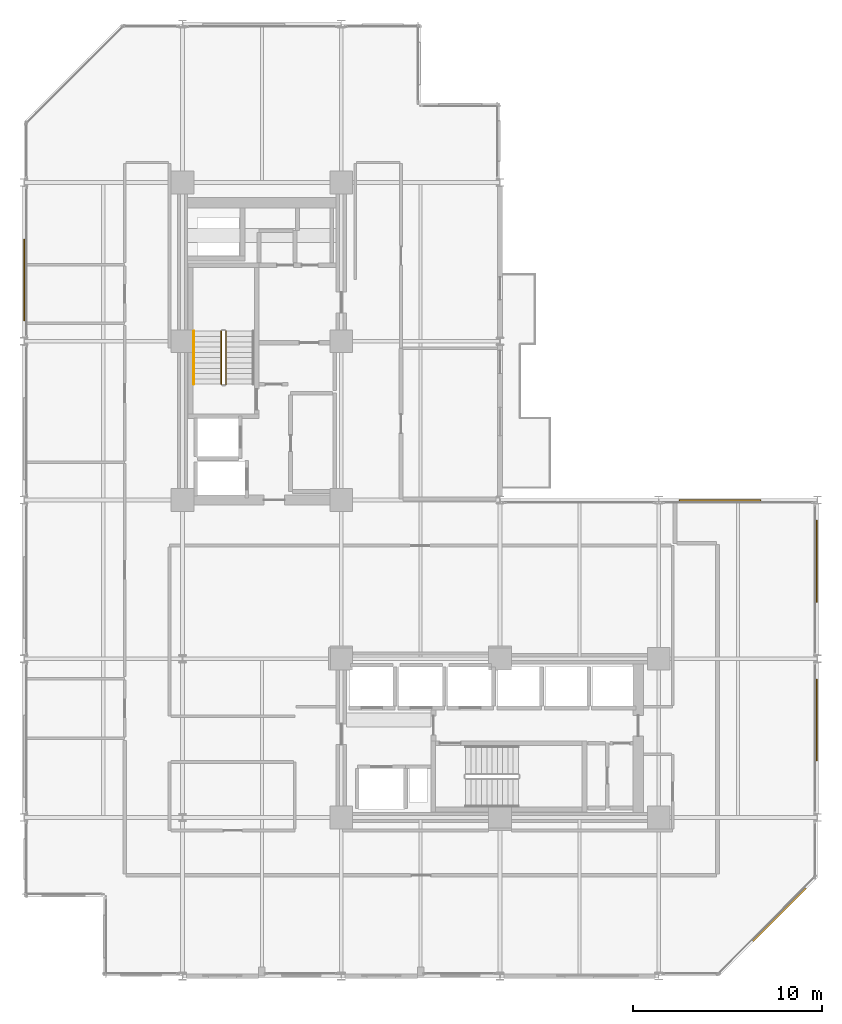
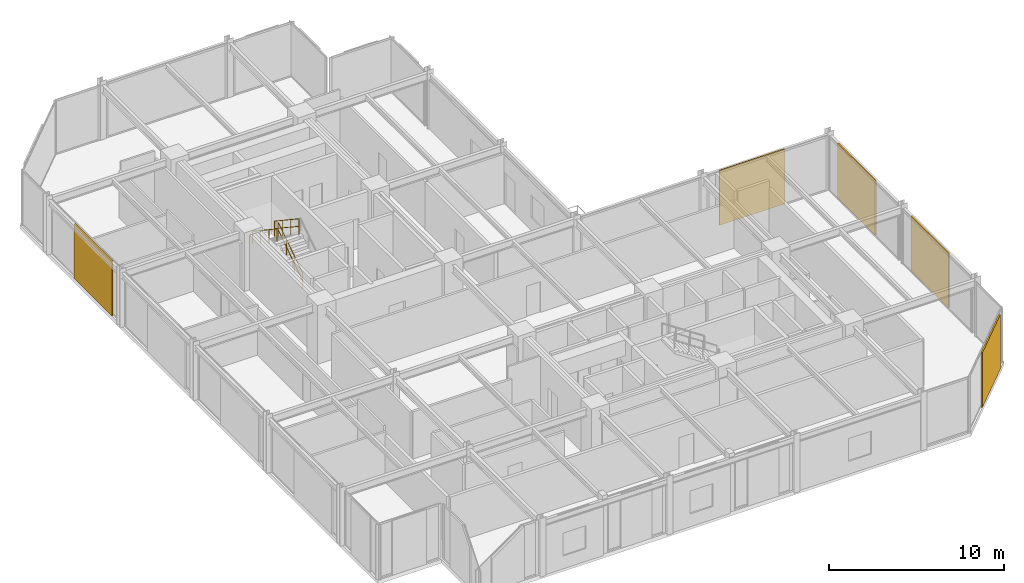
# One storey, part 28 of 29: 5 coverings, 3 railings.
"""IFC4 building model written with IfcOpenShell, lengths in metres."""

import ifcopenshell
import ifcopenshell.guid

model = None  # the IFC model being written
_history = None  # IfcOwnerHistory: only IFC2X3 demands one
_inside = {}  # id of a spatial element -> (the spatial element, [elements in it])
_under = {}  # id of a project, library or spatial element -> (it, [spatial elements below it])
_declared = {}  # id of a project -> (the project, [libraries it declares])
_typed = {}  # id of a type object -> (the type object, [elements of that type])
_made_of = {}  # id of a material, layer set ... -> (it, [elements and type objects made of it])


def new_model(schema):
    """Start an empty IFC model of exactly this schema.

    Asked for "IFC4X3", IfcOpenShell would pick the latest addendum, in which some entities
    have other attributes; the version numbers below select the first issue.
    IFC2X3 requires an IfcOwnerHistory on every rooted entity: one is made here for all.
    """
    global model, _history
    if schema == "IFC4X3":
        model = ifcopenshell.file(schema_version=(4, 3, 0, 0))
    else:
        model = ifcopenshell.file(schema=schema)
    _inside.clear()
    _under.clear()
    _declared.clear()
    _typed.clear()
    _made_of.clear()
    _history = None
    if model.schema == "IFC2X3":
        org = make("IfcOrganization", Name="unknown")
        user = make(
            "IfcPersonAndOrganization",
            ThePerson=make("IfcPerson", FamilyName="unknown"),
            TheOrganization=org,
        )
        app = make(
            "IfcApplication",
            ApplicationDeveloper=org,
            Version="unknown",
            ApplicationFullName="unknown",
            ApplicationIdentifier="unknown",
        )
        _history = make(
            "IfcOwnerHistory",
            OwningUser=user,
            OwningApplication=app,
            ChangeAction="ADDED",
            CreationDate=0,
        )
    return model


def make(cls, **values):
    """One entity of the class cls with the attributes given. An attribute that is None is left unset."""
    return model.create_entity(
        cls, **{name: value for name, value in values.items() if value is not None}
    )


def rooted(cls, **values):
    """An entity with a GlobalId (a new one), such as an element, a storey or a relation."""
    return make(cls, GlobalId=ifcopenshell.guid.new(), OwnerHistory=_history, **values)


def si_unit(unit_type, name, prefix=None):
    """IfcSIUnit, for example si_unit("LENGTHUNIT", "METRE", prefix="MILLI")."""
    return make("IfcSIUnit", UnitType=unit_type, Prefix=prefix, Name=name)


def assignment(units):
    """IfcUnitAssignment: the units of a project."""
    return None if units is None else make("IfcUnitAssignment", Units=units)


def point(xyz):
    """IfcCartesianPoint."""
    return None if xyz is None else make("IfcCartesianPoint", Coordinates=xyz)


def direction(xyz):
    """IfcDirection."""
    return None if xyz is None else make("IfcDirection", DirectionRatios=xyz)


def frame(location, z_axis=None, x_axis=None):
    """IfcAxis2Placement3D, a coordinate frame: its origin and axes. An axis left out is left unset."""
    return make(
        "IfcAxis2Placement3D",
        Location=point(location),
        Axis=direction(z_axis),
        RefDirection=direction(x_axis),
    )


def frame_2d(location, x_axis=None):
    """IfcAxis2Placement2D, a coordinate frame in the plane: its origin and x axis."""
    return make(
        "IfcAxis2Placement2D", Location=point(location), RefDirection=direction(x_axis)
    )


def origin():
    """The frame at (0, 0, 0) with its axes left unset."""
    return frame((0.0, 0.0, 0.0))


def origin_2d():
    """The frame at (0, 0) in the plane with its x axis left unset."""
    return frame_2d((0.0, 0.0))


def place(relative_to, where):
    """IfcLocalPlacement: puts the frame where relative to a parent placement (None: the world)."""
    return make(
        "IfcLocalPlacement", PlacementRelTo=relative_to, RelativePlacement=where
    )


def context(
    kind, dimensions, precision=None, world=None, true_north=None, identifier=None
):
    """IfcGeometricRepresentationContext, for example the 3D "Model" context."""
    return make(
        "IfcGeometricRepresentationContext",
        ContextIdentifier=identifier,
        ContextType=kind,
        CoordinateSpaceDimension=dimensions,
        Precision=precision,
        WorldCoordinateSystem=world,
        TrueNorth=true_north,
    )


def subcontext(parent, identifier, kind, view, scale=None):
    """IfcGeometricRepresentationSubContext, for example "Body" below "Model"."""
    return make(
        "IfcGeometricRepresentationSubContext",
        ContextIdentifier=identifier,
        ContextType=kind,
        ParentContext=parent,
        TargetScale=scale,
        TargetView=view,
    )


def project(units=None, contexts=None):
    """IfcProject with its units and contexts."""
    return rooted(
        "IfcProject",
        Name="project",
        RepresentationContexts=contexts,
        UnitsInContext=assignment(units),
    )


def spatial(cls, under=None, at=None, **own):
    """A site, building, storey or space (cls), placed at a placement, below another one or the project."""
    s = rooted(cls, ObjectPlacement=at, **own)
    if under is not None:
        _under.setdefault(under.id(), (under, []))[1].append(s)
    return s


def profile(cls, at=None, kind="AREA", **sizes):
    """A parametric profile (cls). Its sizes go by their IFC names, for example OverallWidth=200.0."""
    return make(cls, ProfileType=kind, Position=at, **sizes)


def rectangle(**sizes):
    """IfcRectangleProfileDef."""
    return profile("IfcRectangleProfileDef", **sizes)


def circle(**sizes):
    """IfcCircleProfileDef."""
    return profile("IfcCircleProfileDef", **sizes)


def extrude(swept, where, along, depth):
    """IfcExtrudedAreaSolid: the profile swept, set in the frame where, extruded along a direction by depth."""
    return make(
        "IfcExtrudedAreaSolid",
        SweptArea=swept,
        Position=where,
        ExtrudedDirection=direction(along),
        Depth=depth,
    )


def shape(context_of_items, identifier, shape_type, items):
    """IfcShapeRepresentation: the items that make up one representation, for example the "Body"."""
    return make(
        "IfcShapeRepresentation",
        ContextOfItems=context_of_items,
        RepresentationIdentifier=identifier,
        RepresentationType=shape_type,
        Items=items,
    )


def material(Name=None, Category=None):
    """IfcMaterial."""
    return make("IfcMaterial", Name=Name, Category=Category)


def layer(
    of_material, thickness, ventilated=None, Name=None, Category=None, Priority=None
):
    """IfcMaterialLayer: one layer of a wall or slab, of a material (None: an air gap)."""
    return make(
        "IfcMaterialLayer",
        Material=of_material,
        LayerThickness=thickness,
        IsVentilated=ventilated,
        Name=Name,
        Category=Category,
        Priority=Priority,
    )


def layer_set(layers, Name=None):
    """IfcMaterialLayerSet."""
    return make("IfcMaterialLayerSet", MaterialLayers=layers, LayerSetName=Name)


def made_of(thing, what):
    """Note that an element or type object is made of a material, layer set ...; save() writes the relation."""
    if what is not None:
        _made_of.setdefault(what.id(), (what, []))[1].append(thing)
    return thing


def type_object(cls, material=None, **own):
    """A type object (cls), such as IfcWallType, which elements share."""
    return made_of(rooted(cls, **own), material)


def element(
    cls,
    number,
    at=None,
    inside=None,
    cuts=None,
    type_object=None,
    material=None,
    context=None,
    identifier="Body",
    shape_type=None,
    held_by="IfcProductDefinitionShape",
    body=None,
    shapes=None,
    **own,
):
    """One element of the class cls, such as IfcWall. Its Tag is "e" and its number.

    at: its placement. inside: the storey or other place that contains it. cuts: it is an
    opening in that element (IfcRelVoidsElement). A single representation is given by context,
    identifier, shape_type and body (its items); several are given by shapes. held_by: the class
    of the entity that holds the representations. save() writes the other relations.
    """
    e = rooted(cls, Tag="e%d" % number, ObjectPlacement=at, **own)
    if body is not None:
        shapes = [shape(context, identifier, shape_type, body)]
    if shapes is not None:
        e.Representation = make(held_by, Representations=shapes)
    if inside is not None:
        _inside.setdefault(inside.id(), (inside, []))[1].append(e)
    if cuts is not None:
        rooted(
            "IfcRelVoidsElement", RelatingBuildingElement=cuts, RelatedOpeningElement=e
        )
    if type_object is not None:
        _typed.setdefault(type_object.id(), (type_object, []))[1].append(e)
    return made_of(e, material)


def aggregate(whole, parts):
    """IfcRelAggregates: a whole, such as a stair, and the parts it consists of."""
    return rooted("IfcRelAggregates", RelatingObject=whole, RelatedObjects=parts)


def save(model, path):
    """Write the relations noted so far, then the file.

    IfcRelAggregates (storeys below a building ...), IfcRelContainedInSpatialStructure (elements
    in a storey), IfcRelDefinesByType, IfcRelAssociatesMaterial and IfcRelDeclares: one each for
    every whole, place, type object, material and project.
    """
    for whole, parts in _under.values():
        aggregate(whole, parts)
    for where, things in _inside.values():
        rooted(
            "IfcRelContainedInSpatialStructure",
            RelatedElements=things,
            RelatingStructure=where,
        )
    for kind, things in _typed.values():
        rooted("IfcRelDefinesByType", RelatedObjects=things, RelatingType=kind)
    for what, things in _made_of.values():
        rooted("IfcRelAssociatesMaterial", RelatedObjects=things, RelatingMaterial=what)
    for by, libraries in _declared.values():
        rooted("IfcRelDeclares", RelatingContext=by, RelatedDefinitions=libraries)
    model.write(path)


model = new_model("IFC4")

# Units and contexts
model_context = context("Model", 3, precision=1e-05, world=origin(), true_north=direction((0.0, 1.0)))
body_context = subcontext(model_context, "Body", "Model", "MODEL_VIEW")
ifc_project = project(units=[si_unit("LENGTHUNIT", "METRE"), si_unit("AREAUNIT", "SQUARE_METRE"), si_unit("VOLUMEUNIT", "CUBIC_METRE"), si_unit("PLANEANGLEUNIT", "RADIAN"), si_unit("MASSUNIT", "GRAM", prefix="KILO")], contexts=[model_context])

# Site, building, storey
site_placement = place(None, origin())
site = spatial("IfcSite", under=ifc_project, at=site_placement, CompositionType="ELEMENT")
building_placement = place(site_placement, origin())
building = spatial("IfcBuilding", under=site, at=building_placement, Name="Nerrivon Quay Data Exchange", CompositionType="ELEMENT")
storey_placement = place(building_placement, frame((0.0, 0.0, 137.699951171875)))
storey = spatial("IfcBuildingStorey", under=building, at=storey_placement, Name="L32", CompositionType="ELEMENT", Elevation=137.699951171875)

# Coverings
ifc_material_1 = material(Name="Architectural terracotta ceramic", Category="masonry")
ifc_layer = layer(ifc_material_1, 0.090087890625)
ifc_layer_set = layer_set([ifc_layer], Name="Architectural terracotta ceramic")
covering_type = type_object("IfcCoveringType", Name="COV-SCR-TERR", PredefinedType="CLADDING", material=ifc_layer_set)
covering_placement = place(storey_placement, frame((39.9921875, 3.255859375, 0.0), z_axis=(0.0, 0.0, 1.0), x_axis=(-0.707106781187, -0.707106781187, 0.0)))
element("IfcCovering", 1, at=covering_placement, inside=storey, type_object=covering_type, Name="L32 Perforated Terracotta SOLAR SCREEN Cassette", PredefinedType="CLADDING", context=body_context, shape_type="SweptSolid", body=[
    extrude(rectangle(XDim=3.970947265625, YDim=0.090087890625, at=origin_2d()), origin(), (0.0, 0.0, 1.0), 3.824951171875),
])
for number, where, z_axis, x_axis, name in (
    (2, (0.044921875, 36.840087890625, 0.0), (0.0, 0.0, 1.0), (0.0, 1.0, 0.0), "L32 Perforated Terracotta SOLAR SCREEN Cassette"),
    (3, (36.840087890625, 25.155029296875, 0.0), (0.0, 0.0, 1.0), (1.0, 0.0, 0.0), "L32 Perforated Terracotta SOLAR SCREEN Cassette"),
    (4, (41.955078125, 21.9599609375, 0.0), (0.0, 0.0, 1.0), (0.0, -1.0, 0.0), "L32 Perforated Terracotta SOLAR SCREEN Cassette"),
    (5, (41.955078125, 13.56005859375, 0.0), (0.0, 0.0, 1.0), (0.0, -1.0, 0.0), "L32 Perforated Terracotta SOLAR SCREEN Cassette"),
):
    element("IfcCovering", number, at=place(storey_placement, frame(where, z_axis=z_axis, x_axis=x_axis)), inside=storey, type_object=covering_type, Name=name, PredefinedType="CLADDING", context=body_context, shape_type="SweptSolid", body=[
        extrude(rectangle(XDim=4.320068359375, YDim=0.090087890625, at=origin_2d()), origin(), (0.0, 0.0, 1.0), 3.824951171875),
    ])

# Railings
ifc_material_2 = material(Name="Steel Grade C350L0 (350 MPa)", Category="steel")
railing_type_1 = type_object("IfcRailingType", Name="RAIL-HAND-HR1", PredefinedType="HANDRAIL", material=ifc_material_2)
railing_1_placement = place(storey_placement, frame((9.0, 34.1298828125, 2.236328125)))
element("IfcRailing", 6, at=railing_1_placement, inside=storey, type_object=railing_type_1, Name="L32 ST01 stair handrail 2", PredefinedType="HANDRAIL", context=body_context, shape_type="SweptSolid", body=[
    extrude(circle(Radius=0.02392578125, at=origin_2d()), frame((0.0, 0.0, 0.8759765625), z_axis=(0.0, -0.832429786209, 0.554130536094), x_axis=(1.0, 0.0, 0.0)), (0.0, 0.0, 1.0), 3.363525390625),
    extrude(circle(Radius=0.02099609375, at=origin_2d()), origin(), (0.0, 0.0, 1.0), 0.851806640625),
    extrude(circle(Radius=0.02099609375, at=origin_2d()), frame((0.0, -0.933349609375, 0.621337890625)), (0.0, 0.0, 1.0), 0.851806640625),
    extrude(circle(Radius=0.02099609375, at=origin_2d()), frame((0.0, -1.866455078125, 1.242431640625)), (0.0, 0.0, 1.0), 0.851806640625),
    extrude(circle(Radius=0.02099609375, at=origin_2d()), frame((0.0, -2.7998046875, 1.86376953125)), (0.0, 0.0, 1.0), 0.851806640625),
])
railing_type_2 = type_object("IfcRailingType", Name="RAIL-STAIR-GR1", PredefinedType="BALUSTRADE", material=ifc_material_2)
railing_2_placement = place(storey_placement, frame((10.699951171875, 31.330078125, 0.1865234375)))
element("IfcRailing", 7, at=railing_2_placement, inside=storey, type_object=railing_type_2, Name="L32 ST01 stair guard 1", PredefinedType="BALUSTRADE", context=body_context, shape_type="SweptSolid", body=[
    extrude(circle(Radius=0.02392578125, at=origin_2d()), frame((0.0, 0.0, 1.076171875), z_axis=(0.0, 0.832463268671, 0.554080234545), x_axis=(-1.0, 0.0, 0.0)), (0.0, 0.0, 1.0), 3.36328125),
    extrude(circle(Radius=0.02392578125, at=origin_2d()), frame((0.0, 0.0, 0.550048828125), z_axis=(0.0, 0.832463268671, 0.554080234545), x_axis=(-1.0, 0.0, 0.0)), (0.0, 0.0, 1.0), 3.36328125),
    extrude(circle(Radius=0.02099609375, at=origin_2d()), origin(), (0.0, 0.0, 1.0), 1.052001953125),
    extrude(circle(Radius=0.02099609375, at=origin_2d()), frame((0.0, 0.933349609375, 0.62109375)), (0.0, 0.0, 1.0), 1.052001953125),
    extrude(circle(Radius=0.02099609375, at=origin_2d()), frame((0.0, 1.866455078125, 1.242431640625)), (0.0, 0.0, 1.0), 1.052001953125),
    extrude(circle(Radius=0.02099609375, at=origin_2d()), frame((0.0, 2.7998046875, 1.863525390625)), (0.0, 0.0, 1.0), 1.052001953125),
])
railing_3_placement = place(storey_placement, frame((10.449951171875, 34.1298828125, 2.236328125)))
element("IfcRailing", 8, at=railing_3_placement, inside=storey, type_object=railing_type_2, Name="L32 ST01 stair guard 3", PredefinedType="BALUSTRADE", context=body_context, shape_type="SweptSolid", body=[
    extrude(circle(Radius=0.02392578125, at=origin_2d()), frame((0.0, 0.0, 1.076171875), z_axis=(0.0, -0.832429786209, 0.554130536094), x_axis=(1.0, 0.0, 0.0)), (0.0, 0.0, 1.0), 3.363525390625),
    extrude(circle(Radius=0.02392578125, at=origin_2d()), frame((0.0, 0.0, 0.550048828125), z_axis=(0.0, -0.832429786209, 0.554130536094), x_axis=(1.0, 0.0, 0.0)), (0.0, 0.0, 1.0), 3.363525390625),
    extrude(circle(Radius=0.02099609375, at=origin_2d()), origin(), (0.0, 0.0, 1.0), 1.052001953125),
    extrude(circle(Radius=0.02099609375, at=origin_2d()), frame((0.0, -0.933349609375, 0.621337890625)), (0.0, 0.0, 1.0), 1.052001953125),
    extrude(circle(Radius=0.02099609375, at=origin_2d()), frame((0.0, -1.866455078125, 1.242431640625)), (0.0, 0.0, 1.0), 1.052001953125),
    extrude(circle(Radius=0.02099609375, at=origin_2d()), frame((0.0, -2.7998046875, 1.86376953125)), (0.0, 0.0, 1.0), 1.052001953125),
])

save(model, "model.ifc")
